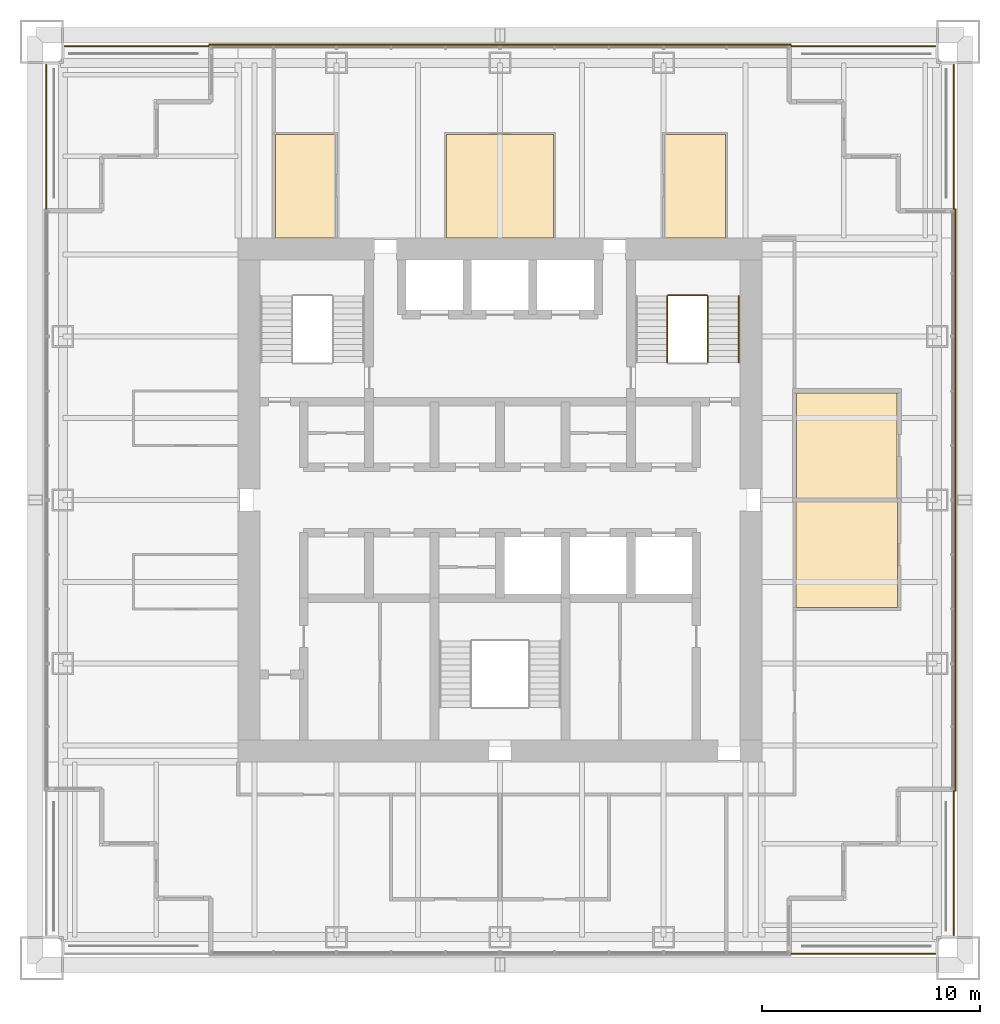
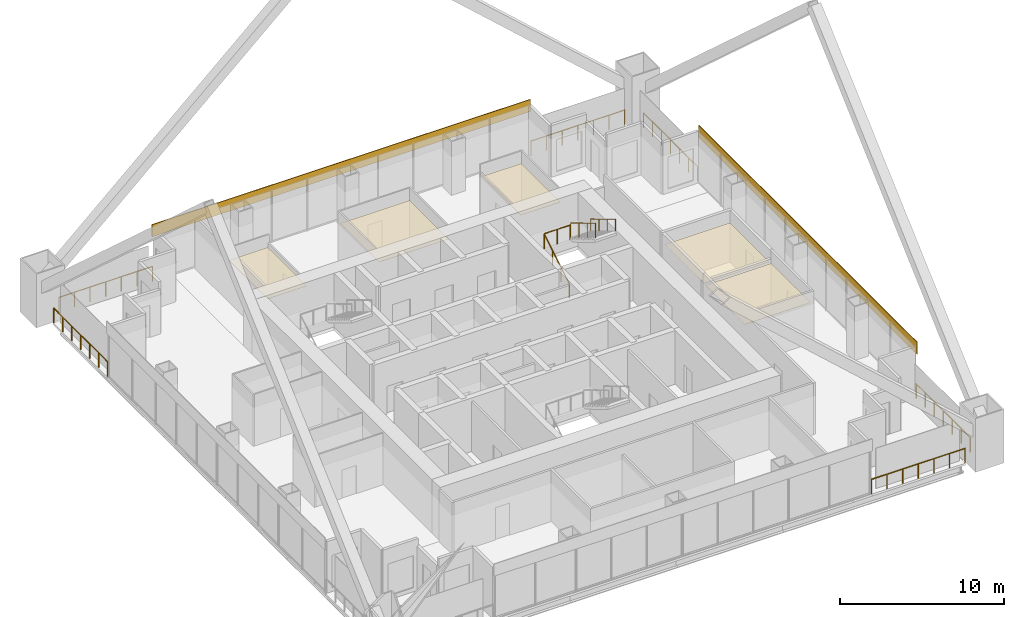
# One storey, part 18 of 18: 10 railings, 7 coverings.
"""IFC4 building model written with IfcOpenShell, lengths in metres."""

from ifc_helpers import new_model, si_unit, direction, frame, origin, origin_2d, place, context, subcontext, project, spatial, polyline, rectangle, circle, outline, extrude, material, layer, layer_set, type_object, element, save


model = new_model("IFC4")

# Units and contexts
model_context = context("Model", 3, precision=1e-05, world=origin(), true_north=direction((0.0, 1.0)))
body_context = subcontext(model_context, "Body", "Model", "MODEL_VIEW")
ifc_project = project(units=[si_unit("LENGTHUNIT", "METRE"), si_unit("AREAUNIT", "SQUARE_METRE"), si_unit("VOLUMEUNIT", "CUBIC_METRE"), si_unit("PLANEANGLEUNIT", "RADIAN"), si_unit("MASSUNIT", "GRAM", prefix="KILO")], contexts=[model_context])

# Site, building, storey
site_placement = place(None, origin())
site = spatial("IfcSite", under=ifc_project, at=site_placement, CompositionType="ELEMENT")
building_placement = place(site_placement, origin())
building = spatial("IfcBuilding", under=site, at=building_placement, Name="Tarangal Relay Tower", CompositionType="ELEMENT")
storey_placement = place(building_placement, frame((0.0, 0.0, 295.89990234375)))
storey = spatial("IfcBuildingStorey", under=building, at=storey_placement, Name="L65", CompositionType="ELEMENT", Elevation=295.89990234375)

# Coverings
ifc_material_1 = material(Name="Black anodised aluminium cladding", Category="aluminium")
ifc_layer_1 = layer(ifc_material_1, 0.050048828125)
ifc_layer_set_1 = layer_set([ifc_layer_1], Name="Black metal spandrel band")
covering_type_1 = type_object("IfcCoveringType", Name="Black metal spandrel band", PredefinedType="CLADDING", material=ifc_layer_set_1)
for number, where, z_axis, x_axis, name in (
    (1, (0.0, 20.875, 3.250244140625), (0.0, 0.0, 1.0), (1.0, 0.0, 0.0), "Spandrel band SB1 N L65"),
    (2, (20.875, 0.0, 3.250244140625), (0.0, 0.0, 1.0), (0.0, -1.0, 0.0), "Spandrel band SB1 E L65"),
):
    element("IfcCovering", number, at=place(storey_placement, frame(where, z_axis=z_axis, x_axis=x_axis)), inside=storey, type_object=covering_type_1, Name=name, PredefinedType="CLADDING", context=body_context, shape_type="SweptSolid", body=[
        extrude(rectangle(XDim=26.699951171875, YDim=0.050048828125, at=origin_2d()), origin(), (0.0, 0.0, 1.0), 0.89990234375),
    ])

# Railings
ifc_material_2 = material(Name="Steel guard, black finish", Category="steel")
railing_type_1 = type_object("IfcRailingType", Name="Stair guard 1100", PredefinedType="GUARDRAIL", material=ifc_material_2)
railing_1_placement = place(storey_placement, frame((7.669921875, 6.300048828125, 0.166748046875)))
element("IfcRailing", 3, at=railing_1_placement, inside=storey, type_object=railing_type_1, Name="Stair ST-B guard GR1 L65 flight 1", PredefinedType="GUARDRAIL", context=body_context, shape_type="SweptSolid", body=[
    extrude(circle(Radius=0.02392578125, at=origin_2d()), frame((0.0, 0.0, 1.076171875), z_axis=(0.0, 0.85685617095, 0.515555527858), x_axis=(-1.0, 0.0, 0.0)), (0.0, 0.0, 1.0), 3.555908203125),
    extrude(circle(Radius=0.02099609375, at=origin_2d()), origin(), (0.0, 0.0, 1.0), 1.052001953125),
    extrude(circle(Radius=0.02099609375, at=origin_2d()), frame((0.0, 1.015625, 0.611083984375)), (0.0, 0.0, 1.0), 1.052001953125),
    extrude(circle(Radius=0.02099609375, at=origin_2d()), frame((0.0, 2.03125, 1.22216796875)), (0.0, 0.0, 1.0), 1.052001953125),
    extrude(circle(Radius=0.02099609375, at=origin_2d()), frame((0.0, 3.046875, 1.833251953125)), (0.0, 0.0, 1.0), 1.052001953125),
])
railing_2_placement = place(storey_placement, frame((9.530029296875, 9.346923828125, 2.166748046875)))
element("IfcRailing", 4, at=railing_2_placement, inside=storey, type_object=railing_type_1, Name="Stair ST-B guard GR1 L65 flight 2", PredefinedType="GUARDRAIL", context=body_context, shape_type="SweptSolid", body=[
    extrude(circle(Radius=0.02392578125, at=origin_2d()), frame((0.0, 0.0, 1.076171875), z_axis=(0.0, -0.85685617095, 0.515555527858), x_axis=(1.0, 0.0, 0.0)), (0.0, 0.0, 1.0), 3.555908203125),
    extrude(circle(Radius=0.02099609375, at=origin_2d()), origin(), (0.0, 0.0, 1.0), 1.052001953125),
    extrude(circle(Radius=0.02099609375, at=origin_2d()), frame((0.0, -1.015625, 0.611083984375)), (0.0, 0.0, 1.0), 1.052001953125),
    extrude(circle(Radius=0.02099609375, at=origin_2d()), frame((0.0, -2.03125, 1.22216796875)), (0.0, 0.0, 1.0), 1.052001953125),
    extrude(circle(Radius=0.02099609375, at=origin_2d()), frame((0.0, -3.046875, 1.833251953125)), (0.0, 0.0, 1.0), 1.052001953125),
])
railing_3_placement = place(storey_placement, frame((7.699951171875, 9.376953125, 2.0)))
element("IfcRailing", 5, at=railing_3_placement, inside=storey, type_object=railing_type_1, Name="Stair ST-B landing guard GR1 L65", PredefinedType="GUARDRAIL", context=body_context, shape_type="SweptSolid", body=[
    extrude(circle(Radius=0.02392578125, at=origin_2d()), frame((0.0, 0.0, 1.076171875), z_axis=(1.0, 0.0, 0.0), x_axis=(0.0, 1.0, 0.0)), (0.0, 0.0, 1.0), 1.800048828125),
    extrude(circle(Radius=0.02099609375, at=origin_2d()), origin(), (0.0, 0.0, 1.0), 1.052001953125),
    extrude(circle(Radius=0.02099609375, at=origin_2d()), frame((0.89990234375, 0.0, 0.0)), (0.0, 0.0, 1.0), 1.052001953125),
    extrude(circle(Radius=0.02099609375, at=origin_2d()), frame((1.800048828125, 0.0, 0.0)), (0.0, 0.0, 1.0), 1.052001953125),
])
ifc_material_3 = material(Name="Steel handrail, black finish", Category="steel")
railing_type_2 = type_object("IfcRailingType", Name="Stair handrail 900", PredefinedType="HANDRAIL", material=ifc_material_3)
railing_4_placement = place(storey_placement, frame((10.93994140625, 9.346923828125, 2.166748046875)))
element("IfcRailing", 6, at=railing_4_placement, inside=storey, type_object=railing_type_2, Name="Stair ST-B handrail HR1 L65 flight 2", PredefinedType="HANDRAIL", context=body_context, shape_type="SweptSolid", body=[
    extrude(circle(Radius=0.02392578125, at=origin_2d()), frame((0.0, 0.0, 0.8759765625), z_axis=(0.0, -0.85685617095, 0.515555527858), x_axis=(1.0, 0.0, 0.0)), (0.0, 0.0, 1.0), 3.555908203125),
    extrude(circle(Radius=0.02099609375, at=origin_2d()), origin(), (0.0, 0.0, 1.0), 0.851806640625),
    extrude(circle(Radius=0.02099609375, at=origin_2d()), frame((0.0, -1.015625, 0.611083984375)), (0.0, 0.0, 1.0), 0.851806640625),
    extrude(circle(Radius=0.02099609375, at=origin_2d()), frame((0.0, -2.03125, 1.22216796875)), (0.0, 0.0, 1.0), 0.851806640625),
    extrude(circle(Radius=0.02099609375, at=origin_2d()), frame((0.0, -3.046875, 1.833251953125)), (0.0, 0.0, 1.0), 0.851806640625),
])

# Coverings
ifc_material_4 = material(Name="Mineral fibre ceiling tiles", Category="gypsum")
ifc_layer_2 = layer(ifc_material_4, 0.02001953125)
ifc_layer_set_2 = layer_set([ifc_layer_2], Name="Suspended ceiling")
covering_type_2 = type_object("IfcCoveringType", Name="Suspended ceiling", PredefinedType="CEILING", material=ifc_layer_set_2)
covering_1_placement = place(storey_placement, frame((0.0, 0.0, 2.900146484375)))
element("IfcCovering", 7, at=covering_1_placement, inside=storey, type_object=covering_type_2, Name="Suspended ceiling CL1 L65-02", PredefinedType="CEILING", context=body_context, shape_type="SweptSolid", body=[
    extrude(outline(polyline([(-7.550048828125, 12.0), (-7.550048828125, 16.75), (-10.300048828125, 16.75), (-10.300048828125, 12.0), (-7.550048828125, 12.0)])), origin(), (0.0, 0.0, 1.0), 0.02001953125),
])
covering_2_placement = place(storey_placement, frame((0.0, 0.0, 2.900146484375)))
element("IfcCovering", 8, at=covering_2_placement, inside=storey, type_object=covering_type_2, Name="Suspended ceiling CL1 L65-03", PredefinedType="CEILING", context=body_context, shape_type="SweptSolid", body=[
    extrude(outline(polyline([(2.449951171875, 12.0), (2.449951171875, 16.75), (-2.449951171875, 16.75), (-2.449951171875, 12.0), (2.449951171875, 12.0)])), origin(), (0.0, 0.0, 1.0), 0.02001953125),
])
covering_3_placement = place(storey_placement, frame((0.0, 0.0, 2.900146484375)))
element("IfcCovering", 9, at=covering_3_placement, inside=storey, type_object=covering_type_2, Name="Suspended ceiling CL1 L65-04", PredefinedType="CEILING", context=body_context, shape_type="SweptSolid", body=[
    extrude(outline(polyline([(10.324951171875, 12.0), (10.324951171875, 16.75), (7.550048828125, 16.75), (7.550048828125, 12.0), (10.324951171875, 12.0)])), origin(), (0.0, 0.0, 1.0), 0.02001953125),
])
covering_4_placement = place(storey_placement, frame((0.0, 0.0, 2.900146484375)))
element("IfcCovering", 10, at=covering_4_placement, inside=storey, type_object=covering_type_2, Name="Suspended ceiling CL1 L65-05", PredefinedType="CEILING", context=body_context, shape_type="SweptSolid", body=[
    extrude(outline(polyline([(18.199951171875, 0.10009765625), (18.199951171875, 4.89990234375), (13.60009765625, 4.89990234375), (13.60009765625, 0.10009765625), (18.199951171875, 0.10009765625)])), origin(), (0.0, 0.0, 1.0), 0.02001953125),
])
covering_5_placement = place(storey_placement, frame((0.0, 0.0, 2.900146484375)))
element("IfcCovering", 11, at=covering_5_placement, inside=storey, type_object=covering_type_2, Name="Suspended ceiling CL1 L65-06", PredefinedType="CEILING", context=body_context, shape_type="SweptSolid", body=[
    extrude(outline(polyline([(18.22509765625, -0.10009765625), (13.574951171875, -0.10009765625), (13.574951171875, -4.925048828125), (18.22509765625, -4.925048828125), (18.22509765625, -0.10009765625)])), origin(), (0.0, 0.0, 1.0), 0.02001953125),
])

# Railings
ifc_material_5 = material(Name="Black steel guard with glass infill", Category="steel")
railing_type_3 = type_object("IfcRailingType", Name="Terrace guard 1100", PredefinedType="GUARDRAIL", material=ifc_material_5)
railing_5_placement = place(storey_placement, frame((13.35009765625, 20.800048828125, 0.0)))
element("IfcRailing", 12, at=railing_5_placement, inside=storey, type_object=railing_type_3, Name="Terrace guard GR2 NE L65", PredefinedType="GUARDRAIL", context=body_context, shape_type="SweptSolid", body=[
    extrude(circle(Radius=0.02392578125, at=origin_2d()), frame((0.0, 0.0, 1.076171875), z_axis=(1.0, 0.0, 0.0), x_axis=(0.0, 1.0, 0.0)), (0.0, 0.0, 1.0), 6.599853515625),
    extrude(circle(Radius=0.02099609375, at=origin_2d()), origin(), (0.0, 0.0, 1.0), 1.052001953125),
    extrude(circle(Radius=0.02099609375, at=origin_2d()), frame((1.10009765625, 0.0, 0.0)), (0.0, 0.0, 1.0), 1.052001953125),
    extrude(circle(Radius=0.02099609375, at=origin_2d()), frame((2.199951171875, 0.0, 0.0)), (0.0, 0.0, 1.0), 1.052001953125),
    extrude(circle(Radius=0.02099609375, at=origin_2d()), frame((3.2998046875, 0.0, 0.0)), (0.0, 0.0, 1.0), 1.052001953125),
    extrude(circle(Radius=0.02099609375, at=origin_2d()), frame((4.39990234375, 0.0, 0.0)), (0.0, 0.0, 1.0), 1.052001953125),
    extrude(circle(Radius=0.02099609375, at=origin_2d()), frame((5.5, 0.0, 0.0)), (0.0, 0.0, 1.0), 1.052001953125),
    extrude(circle(Radius=0.02099609375, at=origin_2d()), frame((6.599853515625, 0.0, 0.0)), (0.0, 0.0, 1.0), 1.052001953125),
])
for number, where, name in (
    (13, (20.800048828125, 19.949951171875, 0.0), "Terrace guard GR2 NE L65"),
    (14, (20.800048828125, -13.35009765625, 0.0), "Terrace guard GR2 SE L65"),
):
    element("IfcRailing", number, at=place(storey_placement, frame(where)), inside=storey, type_object=railing_type_3, Name=name, PredefinedType="GUARDRAIL", context=body_context, shape_type="SweptSolid", body=[
        extrude(circle(Radius=0.02392578125, at=origin_2d()), frame((0.0, 0.0, 1.076171875), z_axis=(0.0, -1.0, 0.0), x_axis=(1.0, 0.0, 0.0)), (0.0, 0.0, 1.0), 6.599853515625),
        extrude(circle(Radius=0.02099609375, at=origin_2d()), origin(), (0.0, 0.0, 1.0), 1.052001953125),
        extrude(circle(Radius=0.02099609375, at=origin_2d()), frame((0.0, -1.10009765625, 0.0)), (0.0, 0.0, 1.0), 1.052001953125),
        extrude(circle(Radius=0.02099609375, at=origin_2d()), frame((0.0, -2.199951171875, 0.0)), (0.0, 0.0, 1.0), 1.052001953125),
        extrude(circle(Radius=0.02099609375, at=origin_2d()), frame((0.0, -3.2998046875, 0.0)), (0.0, 0.0, 1.0), 1.052001953125),
        extrude(circle(Radius=0.02099609375, at=origin_2d()), frame((0.0, -4.39990234375, 0.0)), (0.0, 0.0, 1.0), 1.052001953125),
        extrude(circle(Radius=0.02099609375, at=origin_2d()), frame((0.0, -5.5, 0.0)), (0.0, 0.0, 1.0), 1.052001953125),
        extrude(circle(Radius=0.02099609375, at=origin_2d()), frame((0.0, -6.599853515625, 0.0)), (0.0, 0.0, 1.0), 1.052001953125),
    ])
railing_6_placement = place(storey_placement, frame((19.949951171875, -20.800048828125, 0.0)))
element("IfcRailing", 15, at=railing_6_placement, inside=storey, type_object=railing_type_3, Name="Terrace guard GR2 SE L65", PredefinedType="GUARDRAIL", context=body_context, shape_type="SweptSolid", body=[
    extrude(circle(Radius=0.02392578125, at=origin_2d()), frame((0.0, 0.0, 1.076171875), z_axis=(-1.0, 0.0, 0.0), x_axis=(0.0, -1.0, 0.0)), (0.0, 0.0, 1.0), 6.599853515625),
    extrude(circle(Radius=0.02099609375, at=origin_2d()), origin(), (0.0, 0.0, 1.0), 1.052001953125),
    extrude(circle(Radius=0.02099609375, at=origin_2d()), frame((-1.10009765625, 0.0, 0.0)), (0.0, 0.0, 1.0), 1.052001953125),
    extrude(circle(Radius=0.02099609375, at=origin_2d()), frame((-2.199951171875, 0.0, 0.0)), (0.0, 0.0, 1.0), 1.052001953125),
    extrude(circle(Radius=0.02099609375, at=origin_2d()), frame((-3.2998046875, 0.0, 0.0)), (0.0, 0.0, 1.0), 1.052001953125),
    extrude(circle(Radius=0.02099609375, at=origin_2d()), frame((-4.39990234375, 0.0, 0.0)), (0.0, 0.0, 1.0), 1.052001953125),
    extrude(circle(Radius=0.02099609375, at=origin_2d()), frame((-5.5, 0.0, 0.0)), (0.0, 0.0, 1.0), 1.052001953125),
    extrude(circle(Radius=0.02099609375, at=origin_2d()), frame((-6.599853515625, 0.0, 0.0)), (0.0, 0.0, 1.0), 1.052001953125),
])
railing_7_placement = place(storey_placement, frame((-20.800048828125, 13.35009765625, 0.0)))
element("IfcRailing", 16, at=railing_7_placement, inside=storey, type_object=railing_type_3, Name="Terrace guard GR2 NW L65", PredefinedType="GUARDRAIL", context=body_context, shape_type="SweptSolid", body=[
    extrude(circle(Radius=0.02392578125, at=origin_2d()), frame((0.0, 0.0, 1.076171875), z_axis=(0.0, 1.0, 0.0), x_axis=(-1.0, 0.0, 0.0)), (0.0, 0.0, 1.0), 6.599853515625),
    extrude(circle(Radius=0.02099609375, at=origin_2d()), origin(), (0.0, 0.0, 1.0), 1.052001953125),
    extrude(circle(Radius=0.02099609375, at=origin_2d()), frame((0.0, 1.10009765625, 0.0)), (0.0, 0.0, 1.0), 1.052001953125),
    extrude(circle(Radius=0.02099609375, at=origin_2d()), frame((0.0, 2.199951171875, 0.0)), (0.0, 0.0, 1.0), 1.052001953125),
    extrude(circle(Radius=0.02099609375, at=origin_2d()), frame((0.0, 3.2998046875, 0.0)), (0.0, 0.0, 1.0), 1.052001953125),
    extrude(circle(Radius=0.02099609375, at=origin_2d()), frame((0.0, 4.39990234375, 0.0)), (0.0, 0.0, 1.0), 1.052001953125),
    extrude(circle(Radius=0.02099609375, at=origin_2d()), frame((0.0, 5.5, 0.0)), (0.0, 0.0, 1.0), 1.052001953125),
    extrude(circle(Radius=0.02099609375, at=origin_2d()), frame((0.0, 6.599853515625, 0.0)), (0.0, 0.0, 1.0), 1.052001953125),
])
railing_8_placement = place(storey_placement, frame((-19.949951171875, 20.800048828125, 0.0)))
element("IfcRailing", 17, at=railing_8_placement, inside=storey, type_object=railing_type_3, Name="Terrace guard GR2 NW L65", PredefinedType="GUARDRAIL", context=body_context, shape_type="SweptSolid", body=[
    extrude(circle(Radius=0.02392578125, at=origin_2d()), frame((0.0, 0.0, 1.076171875), z_axis=(1.0, 0.0, 0.0), x_axis=(0.0, 1.0, 0.0)), (0.0, 0.0, 1.0), 6.599853515625),
    extrude(circle(Radius=0.02099609375, at=origin_2d()), origin(), (0.0, 0.0, 1.0), 1.052001953125),
    extrude(circle(Radius=0.02099609375, at=origin_2d()), frame((1.10009765625, 0.0, 0.0)), (0.0, 0.0, 1.0), 1.052001953125),
    extrude(circle(Radius=0.02099609375, at=origin_2d()), frame((2.199951171875, 0.0, 0.0)), (0.0, 0.0, 1.0), 1.052001953125),
    extrude(circle(Radius=0.02099609375, at=origin_2d()), frame((3.2998046875, 0.0, 0.0)), (0.0, 0.0, 1.0), 1.052001953125),
    extrude(circle(Radius=0.02099609375, at=origin_2d()), frame((4.39990234375, 0.0, 0.0)), (0.0, 0.0, 1.0), 1.052001953125),
    extrude(circle(Radius=0.02099609375, at=origin_2d()), frame((5.5, 0.0, 0.0)), (0.0, 0.0, 1.0), 1.052001953125),
    extrude(circle(Radius=0.02099609375, at=origin_2d()), frame((6.599853515625, 0.0, 0.0)), (0.0, 0.0, 1.0), 1.052001953125),
])

save(model, "model.ifc")
